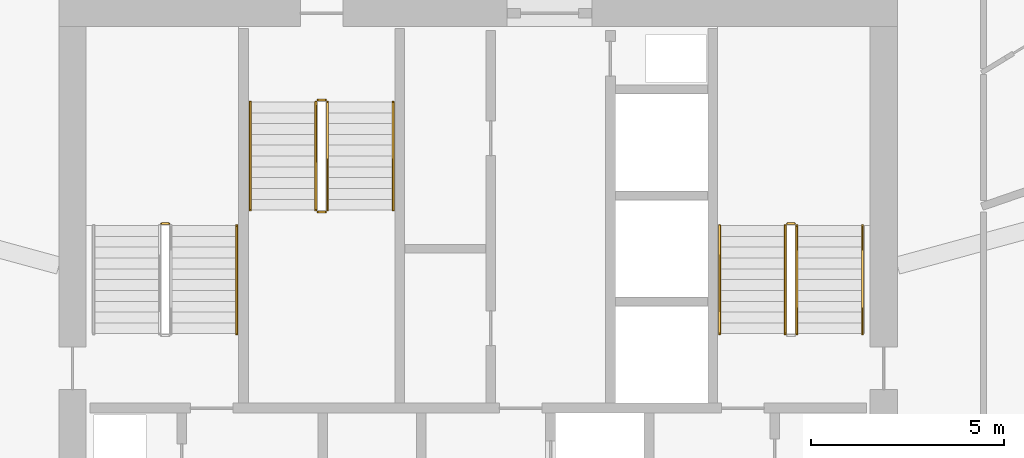
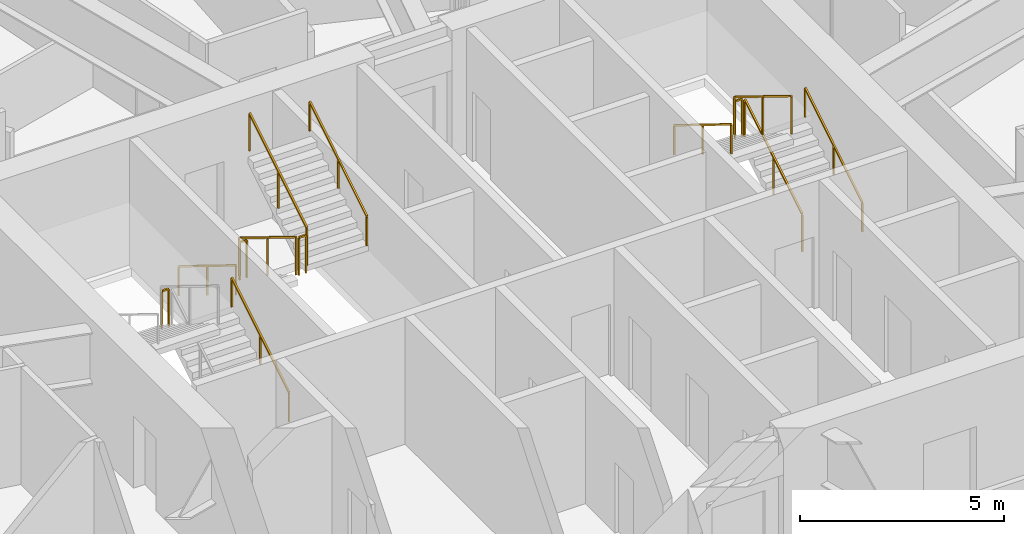
# One storey, part 28 of 28: 13 railings.
"""IFC4 building model written with IfcOpenShell, lengths in metres."""

from ifc_helpers import new_model, si_unit, direction, frame, origin, origin_2d, place, context, subcontext, project, spatial, rectangle, extrude, material, type_object, element, save


model = new_model("IFC4")

# Units and contexts
model_context = context("Model", 3, precision=1e-05, world=origin(), true_north=direction((0.0, 1.0)))
body_context = subcontext(model_context, "Body", "Model", "MODEL_VIEW")
ifc_project = project(units=[si_unit("LENGTHUNIT", "METRE"), si_unit("AREAUNIT", "SQUARE_METRE"), si_unit("VOLUMEUNIT", "CUBIC_METRE"), si_unit("PLANEANGLEUNIT", "RADIAN"), si_unit("MASSUNIT", "GRAM", prefix="KILO")], contexts=[model_context])

# Site, building, storey
site_placement = place(None, origin())
site = spatial("IfcSite", under=ifc_project, at=site_placement, CompositionType="ELEMENT")
building_placement = place(site_placement, origin())
building = spatial("IfcBuilding", under=site, at=building_placement, Name="Zuhravey Tower", CompositionType="ELEMENT")
storey_placement = place(building_placement, frame((0.0, 0.0, 222.60009765625)))
storey = spatial("IfcBuildingStorey", under=building, at=storey_placement, Name="L56", CompositionType="ELEMENT", Elevation=222.60009765625)

# Railings
ifc_material_1 = material(Name="Brushed stainless steel", Category="steel")
railing_type_1 = type_object("IfcRailingType", Name="Stair Wall Handrail 900", PredefinedType="HANDRAIL", material=ifc_material_1)
for number, where, name in (
    (1, (29.75, 33.199951171875, 0.172607421875), "L56 ST1 stair handrail 1"),
    (2, (45.949951171875, 33.199951171875, 0.172607421875), "L56 ST2 stair handrail 1"),
):
    element("IfcRailing", number, at=place(storey_placement, frame(where)), inside=storey, type_object=railing_type_1, Name=name, PredefinedType="HANDRAIL", context=body_context, shape_type="SweptSolid", body=[
        extrude(rectangle(XDim=0.048095703125, YDim=0.048095703125, at=origin_2d()), frame((0.0, 0.001708984375, 0.876953125), z_axis=(0.0, 0.851089632645, 0.525020415988), x_axis=(-1.0, 0.0, 0.0)), (0.0, 0.0, 1.0), 3.285888671875),
        extrude(rectangle(XDim=0.0419921875, YDim=0.0419921875, at=origin_2d()), origin(), (0.0, 0.0, 1.0), 0.849853515625),
        extrude(rectangle(XDim=0.0419921875, YDim=0.0419921875, at=origin_2d()), frame((0.0, 1.39990234375, 0.86376953125)), (0.0, 0.0, 1.0), 0.849853515625),
        extrude(rectangle(XDim=0.0419921875, YDim=0.0419921875, at=origin_2d()), frame((0.0, 2.800048828125, 1.727294921875)), (0.0, 0.0, 1.0), 0.849853515625),
    ])
for number, where, name in (
    (3, (42.25, 36.0, 2.072509765625), "L56 ST2 stair handrail 2"),
    (4, (30.10009765625, 39.199951171875, 0.172607421875), "L56 ST3 stair handrail 1"),
):
    element("IfcRailing", number, at=place(storey_placement, frame(where)), inside=storey, type_object=railing_type_1, Name=name, PredefinedType="HANDRAIL", context=body_context, shape_type="SweptSolid", body=[
        extrude(rectangle(XDim=0.048095703125, YDim=0.048095703125, at=origin_2d()), frame((0.0, -0.001708984375, 0.876953125), z_axis=(0.0, -0.851089632645, 0.525020415988), x_axis=(1.0, 0.0, 0.0)), (0.0, 0.0, 1.0), 3.285888671875),
        extrude(rectangle(XDim=0.0419921875, YDim=0.0419921875, at=origin_2d()), origin(), (0.0, 0.0, 1.0), 0.849853515625),
        extrude(rectangle(XDim=0.0419921875, YDim=0.0419921875, at=origin_2d()), frame((0.0, -1.39990234375, 0.86376953125)), (0.0, 0.0, 1.0), 0.849853515625),
        extrude(rectangle(XDim=0.0419921875, YDim=0.0419921875, at=origin_2d()), frame((0.0, -2.800048828125, 1.727294921875)), (0.0, 0.0, 1.0), 0.849853515625),
    ])
railing_1_placement = place(storey_placement, frame((33.800048828125, 36.39990234375, 2.072509765625)))
element("IfcRailing", 5, at=railing_1_placement, inside=storey, type_object=railing_type_1, Name="L56 ST3 stair handrail 2", PredefinedType="HANDRAIL", context=body_context, shape_type="SweptSolid", body=[
    extrude(rectangle(XDim=0.048095703125, YDim=0.048095703125, at=origin_2d()), frame((0.0, 0.001708984375, 0.876953125), z_axis=(0.0, 0.851089632645, 0.525020415988), x_axis=(-1.0, 0.0, 0.0)), (0.0, 0.0, 1.0), 3.285888671875),
    extrude(rectangle(XDim=0.0419921875, YDim=0.0419921875, at=origin_2d()), origin(), (0.0, 0.0, 1.0), 0.849853515625),
    extrude(rectangle(XDim=0.0419921875, YDim=0.0419921875, at=origin_2d()), frame((0.0, 1.39990234375, 0.86376953125)), (0.0, 0.0, 1.0), 0.849853515625),
    extrude(rectangle(XDim=0.0419921875, YDim=0.0419921875, at=origin_2d()), frame((0.0, 2.800048828125, 1.727294921875)), (0.0, 0.0, 1.0), 0.849853515625),
])
ifc_material_2 = material(Name="Painted tubular steel", Category="steel")
railing_type_2 = type_object("IfcRailingType", Name="Stair Well Guardrail 1150", PredefinedType="GUARDRAIL", material=ifc_material_2)
railing_2_placement = place(storey_placement, frame((28.0, 36.050048828125, 1.89990234375)))
element("IfcRailing", 6, at=railing_2_placement, inside=storey, type_object=railing_type_2, Name="L56 ST1 stair guard 2", PredefinedType="GUARDRAIL", context=body_context, shape_type="SweptSolid", body=[
    extrude(rectangle(XDim=0.048095703125, YDim=0.048095703125, at=origin_2d()), frame((-0.001953125, 0.0, 1.1259765625), z_axis=(-1.0, 0.0, 0.0), x_axis=(0.0, -1.0, 0.0)), (0.0, 0.0, 1.0), 0.196044921875),
    extrude(rectangle(XDim=0.0419921875, YDim=0.0419921875, at=origin_2d()), origin(), (0.0, 0.0, 1.0), 1.099853515625),
    extrude(rectangle(XDim=0.0419921875, YDim=0.0419921875, at=origin_2d()), frame((-0.199951171875, 0.0, 0.0)), (0.0, 0.0, 1.0), 1.099853515625),
])
railing_3_placement = place(storey_placement, frame((44.25, 33.199951171875, 0.172607421875)))
element("IfcRailing", 7, at=railing_3_placement, inside=storey, type_object=railing_type_2, Name="L56 ST2 stair guard 1", PredefinedType="GUARDRAIL", context=body_context, shape_type="SweptSolid", body=[
    extrude(rectangle(XDim=0.048095703125, YDim=0.048095703125, at=origin_2d()), frame((0.0, 0.001708984375, 1.126953125), z_axis=(0.0, 0.851089632645, 0.525020415988), x_axis=(-1.0, 0.0, 0.0)), (0.0, 0.0, 1.0), 3.285888671875),
    extrude(rectangle(XDim=0.0419921875, YDim=0.0419921875, at=origin_2d()), origin(), (0.0, 0.0, 1.0), 1.099853515625),
    extrude(rectangle(XDim=0.0419921875, YDim=0.0419921875, at=origin_2d()), frame((0.0, 1.39990234375, 0.86376953125)), (0.0, 0.0, 1.0), 1.099853515625),
    extrude(rectangle(XDim=0.0419921875, YDim=0.0419921875, at=origin_2d()), frame((0.0, 2.800048828125, 1.727294921875)), (0.0, 0.0, 1.0), 1.099853515625),
])
railing_4_placement = place(storey_placement, frame((44.199951171875, 36.050048828125, 1.89990234375)))
element("IfcRailing", 8, at=railing_4_placement, inside=storey, type_object=railing_type_2, Name="L56 ST2 stair guard 2", PredefinedType="GUARDRAIL", context=body_context, shape_type="SweptSolid", body=[
    extrude(rectangle(XDim=0.048095703125, YDim=0.048095703125, at=origin_2d()), frame((-0.001953125, 0.0, 1.1259765625), z_axis=(-1.0, 0.0, 0.0), x_axis=(0.0, -1.0, 0.0)), (0.0, 0.0, 1.0), 0.196044921875),
    extrude(rectangle(XDim=0.0419921875, YDim=0.0419921875, at=origin_2d()), origin(), (0.0, 0.0, 1.0), 1.099853515625),
    extrude(rectangle(XDim=0.0419921875, YDim=0.0419921875, at=origin_2d()), frame((-0.199951171875, 0.0, 0.0)), (0.0, 0.0, 1.0), 1.099853515625),
])
for number, where, name in (
    (9, (43.949951171875, 36.0, 2.072509765625), "L56 ST2 stair guard 3"),
    (10, (31.800048828125, 39.199951171875, 0.172607421875), "L56 ST3 stair guard 1"),
):
    element("IfcRailing", number, at=place(storey_placement, frame(where)), inside=storey, type_object=railing_type_2, Name=name, PredefinedType="GUARDRAIL", context=body_context, shape_type="SweptSolid", body=[
        extrude(rectangle(XDim=0.048095703125, YDim=0.048095703125, at=origin_2d()), frame((0.0, -0.001708984375, 1.126953125), z_axis=(0.0, -0.851089632645, 0.525020415988), x_axis=(1.0, 0.0, 0.0)), (0.0, 0.0, 1.0), 3.285888671875),
        extrude(rectangle(XDim=0.0419921875, YDim=0.0419921875, at=origin_2d()), origin(), (0.0, 0.0, 1.0), 1.099853515625),
        extrude(rectangle(XDim=0.0419921875, YDim=0.0419921875, at=origin_2d()), frame((0.0, -1.39990234375, 0.86376953125)), (0.0, 0.0, 1.0), 1.099853515625),
        extrude(rectangle(XDim=0.0419921875, YDim=0.0419921875, at=origin_2d()), frame((0.0, -2.800048828125, 1.727294921875)), (0.0, 0.0, 1.0), 1.099853515625),
    ])
railing_5_placement = place(storey_placement, frame((31.85009765625, 36.35009765625, 1.89990234375)))
element("IfcRailing", 11, at=railing_5_placement, inside=storey, type_object=railing_type_2, Name="L56 ST3 stair guard 2", PredefinedType="GUARDRAIL", context=body_context, shape_type="SweptSolid", body=[
    extrude(rectangle(XDim=0.048095703125, YDim=0.048095703125, at=origin_2d()), frame((0.001953125, 0.0, 1.1259765625), z_axis=(1.0, 0.0, 0.0), x_axis=(0.0, 1.0, 0.0)), (0.0, 0.0, 1.0), 0.196044921875),
    extrude(rectangle(XDim=0.0419921875, YDim=0.0419921875, at=origin_2d()), origin(), (0.0, 0.0, 1.0), 1.099853515625),
    extrude(rectangle(XDim=0.0419921875, YDim=0.0419921875, at=origin_2d()), frame((0.199951171875, 0.0, 0.0)), (0.0, 0.0, 1.0), 1.099853515625),
])
railing_6_placement = place(storey_placement, frame((32.10009765625, 36.39990234375, 2.072509765625)))
element("IfcRailing", 12, at=railing_6_placement, inside=storey, type_object=railing_type_2, Name="L56 ST3 stair guard 3", PredefinedType="GUARDRAIL", context=body_context, shape_type="SweptSolid", body=[
    extrude(rectangle(XDim=0.048095703125, YDim=0.048095703125, at=origin_2d()), frame((0.0, 0.001708984375, 1.126953125), z_axis=(0.0, 0.851089632645, 0.525020415988), x_axis=(-1.0, 0.0, 0.0)), (0.0, 0.0, 1.0), 3.285888671875),
    extrude(rectangle(XDim=0.0419921875, YDim=0.0419921875, at=origin_2d()), origin(), (0.0, 0.0, 1.0), 1.099853515625),
    extrude(rectangle(XDim=0.0419921875, YDim=0.0419921875, at=origin_2d()), frame((0.0, 1.39990234375, 0.86376953125)), (0.0, 0.0, 1.0), 1.099853515625),
    extrude(rectangle(XDim=0.0419921875, YDim=0.0419921875, at=origin_2d()), frame((0.0, 2.800048828125, 1.727294921875)), (0.0, 0.0, 1.0), 1.099853515625),
])
railing_7_placement = place(storey_placement, frame((31.85009765625, 39.25, 0.0)))
element("IfcRailing", 13, at=railing_7_placement, inside=storey, type_object=railing_type_2, Name="L56 ST3 stair guard 4", PredefinedType="GUARDRAIL", context=body_context, shape_type="SweptSolid", body=[
    extrude(rectangle(XDim=0.048095703125, YDim=0.048095703125, at=origin_2d()), frame((0.001953125, 0.0, 1.1259765625), z_axis=(1.0, 0.0, 0.0), x_axis=(0.0, 1.0, 0.0)), (0.0, 0.0, 1.0), 0.196044921875),
    extrude(rectangle(XDim=0.0419921875, YDim=0.0419921875, at=origin_2d()), origin(), (0.0, 0.0, 1.0), 1.099853515625),
    extrude(rectangle(XDim=0.0419921875, YDim=0.0419921875, at=origin_2d()), frame((0.199951171875, 0.0, 0.0)), (0.0, 0.0, 1.0), 1.099853515625),
])

save(model, "model.ifc")
